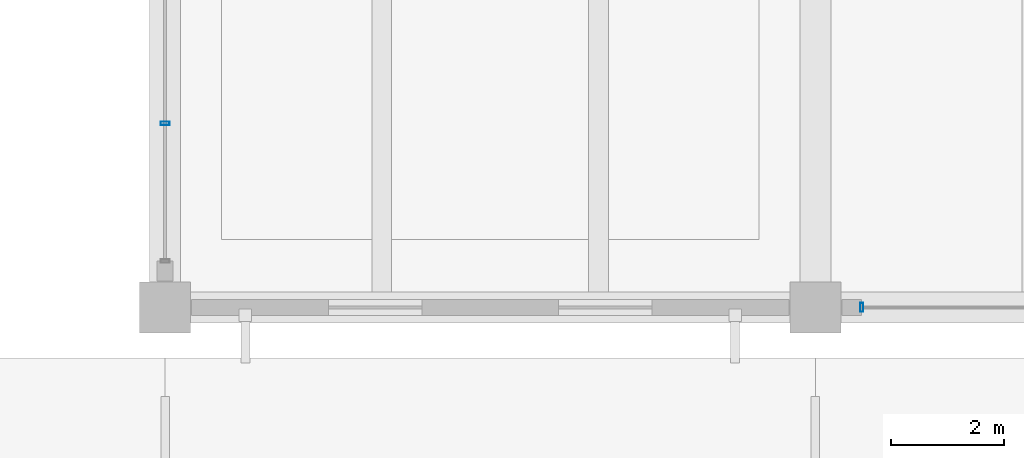
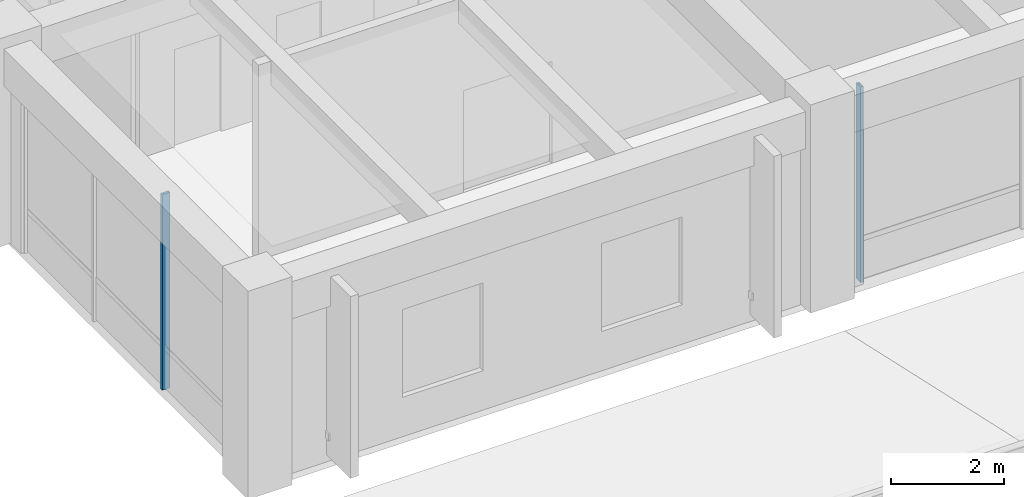
# One storey, part 85 of 154: 2 members, 2 elements without a shape of their own.
"""IFC4 building model written with IfcOpenShell, lengths in metres."""

from ifc_helpers import new_model, si_unit, direction, frame, origin, origin_2d, place, context, subcontext, project, spatial, hollow_rectangle, extrude, material, material_profile, profile_set, type_object, element, aggregate, save


model = new_model("IFC4")

# Units and contexts
model_context = context("Model", 3, precision=1e-05, world=origin(), true_north=direction((0.0, 1.0)))
body_context = subcontext(model_context, "Body", "Model", "MODEL_VIEW")
ifc_project = project(units=[si_unit("LENGTHUNIT", "METRE"), si_unit("AREAUNIT", "SQUARE_METRE"), si_unit("VOLUMEUNIT", "CUBIC_METRE"), si_unit("PLANEANGLEUNIT", "RADIAN"), si_unit("MASSUNIT", "GRAM", prefix="KILO")], contexts=[model_context])

# Site, building, storey
site_placement = place(None, origin())
site = spatial("IfcSite", under=ifc_project, at=site_placement, CompositionType="ELEMENT")
building_placement = place(site_placement, origin())
building = spatial("IfcBuilding", under=site, at=building_placement, Name="Ologun Quay Terminus", CompositionType="ELEMENT")
storey_placement = place(building_placement, frame((0.0, 0.0, 13.800048828125)))
storey = spatial("IfcBuildingStorey", under=building, at=storey_placement, Name="L03", CompositionType="ELEMENT", Elevation=13.800048828125)

# Curtain wall, member
ifc_material_1 = material(Name="Aluminium 6063-T6", Category="aluminium")
curtain_wall_type_1 = type_object("IfcCurtainWallType", Name="Waterfront Pavilion Harbour Curtain Wall L03 10600x4150", PredefinedType="USERDEFINED", material=ifc_material_1)
curtain_wall_1_placement = place(storey_placement, origin())
curtain_wall_1 = element("IfcCurtainWall", 1, at=curtain_wall_1_placement, inside=storey, type_object=curtain_wall_type_1, Name="CW-25 Curtain Wall CW-L03-138", ObjectType="UNITISED CURTAIN WALL", PredefinedType="USERDEFINED")
ifc_material_2 = material(Name="Aluminium 6063-T6", Category="aluminium")
ifc_material_profile = material_profile(ifc_material_2, hollow_rectangle(XDim=0.06005859375, YDim=0.159912109375, WallThickness=0.00390625, at=origin_2d()), Name="ALU 160x60x4")
ifc_profile_set = profile_set([ifc_material_profile], Name="Aluminium 6063-T6")
member_type = type_object("IfcMemberType", Name="Courtyard Screen Mullion 160x65", PredefinedType="MULLION", material=ifc_profile_set)
member_1_placement = place(storey_placement, frame((127.320068359375, 85.800048828125, 0.0), z_axis=(0.0, 0.0, 1.0), x_axis=(1.0, 0.0, 0.0)))
member_1 = element("IfcMember", 2, at=member_1_placement, type_object=member_type, Name="CW-L03-138 Mullion 1", PredefinedType="MULLION", context=body_context, shape_type="SweptSolid", body=[
    extrude(hollow_rectangle(XDim=0.06005859375, YDim=0.159912109375, WallThickness=0.00390625, at=origin_2d()), origin(), (0.0, 0.0, 1.0), 4.22998046875),
])
aggregate(curtain_wall_1, [member_1])

ifc_material_3 = material(Name="Aluminium 6063-T6", Category="aluminium")
curtain_wall_type_2 = type_object("IfcCurtainWallType", Name="Rain-Garden East Courtyard Curtain Wall L03 9200x4150", PredefinedType="USERDEFINED", material=ifc_material_3)
curtain_wall_2_placement = place(storey_placement, origin())
curtain_wall_2 = element("IfcCurtainWall", 3, at=curtain_wall_2_placement, inside=storey, type_object=curtain_wall_type_2, Name="CW-20 Curtain Wall CW-L03-142", ObjectType="UNITISED CURTAIN WALL", PredefinedType="USERDEFINED")
member_2_placement = place(storey_placement, frame((115.0, 89.056640625, 0.0), z_axis=(0.0, 0.0, 1.0), x_axis=(0.0, 1.0, 0.0)))
member_2 = element("IfcMember", 4, at=member_2_placement, type_object=member_type, Name="CW-L03-142 Mullion 2", PredefinedType="MULLION", context=body_context, shape_type="SweptSolid", body=[
    extrude(hollow_rectangle(XDim=0.06005859375, YDim=0.159912109375, WallThickness=0.00390625, at=origin_2d()), origin(), (0.0, 0.0, 1.0), 4.22998046875),
])
aggregate(curtain_wall_2, [member_2])

save(model, "model.ifc")
